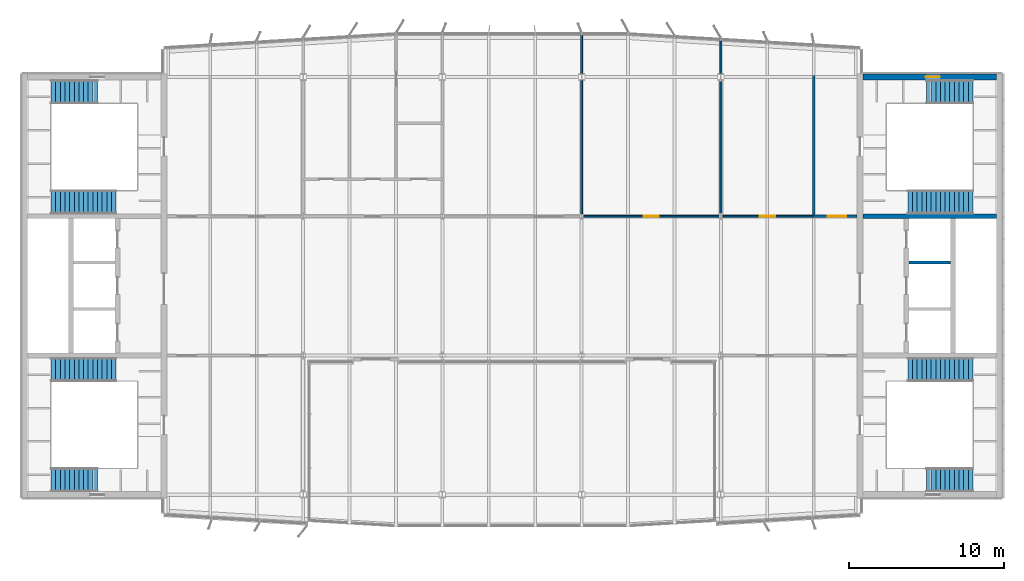
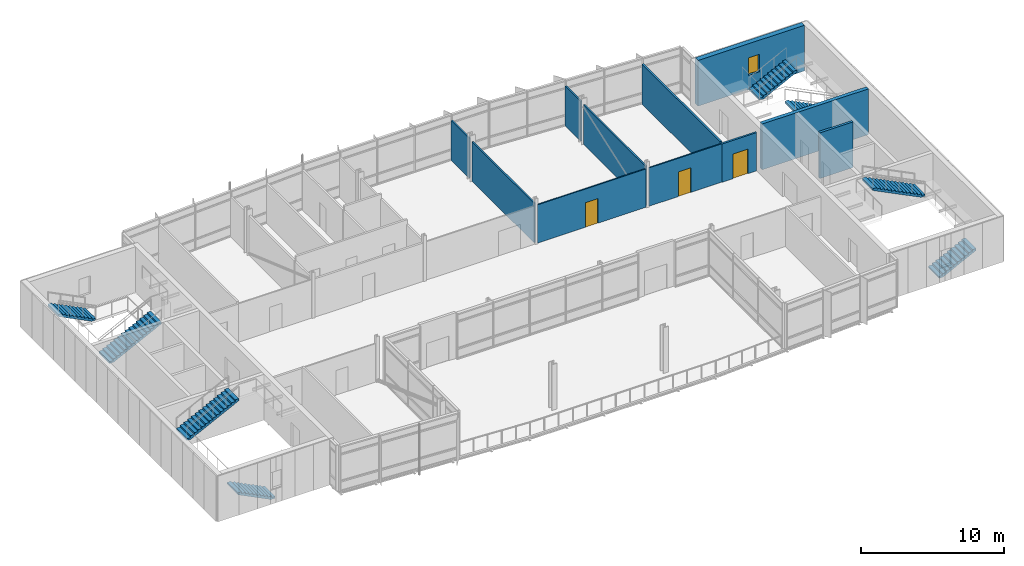
# One storey, part 14 of 19: 11 walls, 8 stair flights, 3 doors, 1 window, 4 openings, 4 elements without a shape of their own.
"""IFC4 building model written with IfcOpenShell, lengths in metres."""

from ifc_helpers import new_model, si_unit, direction, frame, frame_2d, origin, place, context, subcontext, project, spatial, polyline, rectangle, outline, extrude, material, layer, layer_set, type_object, element, fill, aggregate, save


model = new_model("IFC4")

# Units and contexts
model_context = context("Model", 3, precision=1e-05, world=origin(), true_north=direction((0.0, 1.0)))
body_context = subcontext(model_context, "Body", "Model", "MODEL_VIEW")
ifc_project = project(units=[si_unit("LENGTHUNIT", "METRE"), si_unit("AREAUNIT", "SQUARE_METRE"), si_unit("VOLUMEUNIT", "CUBIC_METRE"), si_unit("PLANEANGLEUNIT", "RADIAN"), si_unit("MASSUNIT", "GRAM", prefix="KILO")], contexts=[model_context])

# Site, building, storey
site_placement = place(None, origin())
site = spatial("IfcSite", under=ifc_project, at=site_placement, CompositionType="ELEMENT")
building_placement = place(site_placement, origin())
building = spatial("IfcBuilding", under=site, at=building_placement, Name="Azimuth Sports and Learning Centre", CompositionType="ELEMENT")
storey_placement = place(building_placement, frame((0.0, 0.0, 67.5)))
storey = spatial("IfcBuildingStorey", under=building, at=storey_placement, Name="L15", CompositionType="ELEMENT", Elevation=67.5)

# Wall
ifc_material_1 = material(Name="Dense masonry blockwork", Category="masonry")
ifc_layer_1 = layer(ifc_material_1, 0.199951171875)
ifc_layer_set_1 = layer_set([ifc_layer_1], Name="Dense masonry blockwork")
wall_type_1 = type_object("IfcWallType", Name="Blockwork wall 200 EI 120", PredefinedType="SOLIDWALL", material=ifc_layer_set_1)
wall_1_placement = place(storey_placement, frame((111.14990234375, 105.0, 0.0), z_axis=(0.0, 0.0, 1.0), x_axis=(1.0, 0.0, 0.0)))
element("IfcWall", 1, at=wall_1_placement, inside=storey, type_object=wall_type_1, Name="SD-E-2-L15", PredefinedType="SOLIDWALL", context=body_context, shape_type="SweptSolid", body=[
    extrude(rectangle(XDim=2.7001953125, YDim=0.199951171875, at=frame_2d((1.35009765625, 0.0))), origin(), (0.0, 0.0, 1.0), 3.89990234375),
])

# Wall, opening, door
ifc_material_2 = material(Name="Gypsum board on steel studs", Category="steel")
ifc_layer_2 = layer(ifc_material_2, 0.10009765625)
ifc_layer_set_2 = layer_set([ifc_layer_2], Name="Gypsum board on steel studs")
wall_type_2 = type_object("IfcWallType", Name="Partition 100 EI 30", PredefinedType="PARTITIONING", material=ifc_layer_set_2)
wall_2_placement = place(storey_placement, frame((90.1298828125, 108.0, 0.0), z_axis=(0.0, 0.0, 1.0), x_axis=(1.0, 0.0, 0.0)))
wall_2 = element("IfcWall", 2, at=wall_2_placement, inside=storey, type_object=wall_type_2, Name="Partition Sixth Form Seminar Room 15.15 / Quiet Study Room 15.16", PredefinedType="PARTITIONING", context=body_context, shape_type="SweptSolid", body=[
    extrude(rectangle(XDim=8.740234375, YDim=0.10009765625, at=frame_2d((4.3701171875, 0.0))), origin(), (0.0, 0.0, 1.0), 3.27001953125),
])
opening_1_placement = place(wall_2_placement, frame((3.8701171875, 0.0, 0.0)))
opening_1 = element("IfcOpeningElement", 3, at=opening_1_placement, cuts=wall_2, Name="Opening D15-022", PredefinedType="OPENING", context=body_context, shape_type="SweptSolid", body=[
    extrude(rectangle(XDim=1.0, YDim=2.10009765625, at=frame_2d((0.5, 1.050048828125))), frame((0.0, 0.06103515625, 0.0), z_axis=(0.0, -1.0, 0.0), x_axis=(1.0, 0.0, 0.0)), (0.0, 0.0, 1.0), 0.1220703125),
])
ifc_material_3 = material(Name="Painted steel door set", Category="steel")
door_type_1 = type_object("IfcDoorType", Name="Fire door FD30S 1000 x 2100", OperationType="NOTDEFINED", PredefinedType="DOOR", material=ifc_material_3)
door_1_placement = place(opening_1_placement, origin())
door_1 = element("IfcDoor", 4, at=door_1_placement, inside=storey, type_object=door_type_1, Name="Door Quiet Study Room 15.16 / Learning Street", OperationType="SINGLE_SWING_LEFT", OverallHeight=2.10009765625, OverallWidth=1.0, PredefinedType="DOOR", context=body_context, shape_type="SweptSolid", body=[
    extrude(rectangle(XDim=1.0, YDim=2.10009765625, at=frame_2d((0.5, 1.050048828125))), frame((0.0, 0.02490234375, 0.0), z_axis=(0.0, -1.0, 0.0), x_axis=(1.0, 0.0, 0.0)), (0.0, 0.0, 1.0), 0.050048828125),
])
fill(opening_1, door_1)

wall_3_placement = place(storey_placement, frame((99.1298828125, 108.0, 0.0), z_axis=(0.0, 0.0, 1.0), x_axis=(1.0, 0.0, 0.0)))
wall_3 = element("IfcWall", 5, at=wall_3_placement, inside=storey, type_object=wall_type_2, Name="Partition Sixth Form Seminar Room 15.15 / Quiet Study Room 15.16", PredefinedType="PARTITIONING", context=body_context, shape_type="SweptSolid", body=[
    extrude(rectangle(XDim=5.8701171875, YDim=0.10009765625, at=frame_2d((2.93505859375, 0.0))), origin(), (0.0, 0.0, 1.0), 3.27001953125),
])
opening_2_placement = place(wall_3_placement, frame((2.3701171875, 0.0, 0.0)))
opening_2 = element("IfcOpeningElement", 6, at=opening_2_placement, cuts=wall_3, Name="Opening D15-023", PredefinedType="OPENING", context=body_context, shape_type="SweptSolid", body=[
    extrude(rectangle(XDim=1.0, YDim=2.10009765625, at=frame_2d((0.5, 1.050048828125))), frame((0.0, 0.06103515625, 0.0), z_axis=(0.0, -1.0, 0.0), x_axis=(1.0, 0.0, 0.0)), (0.0, 0.0, 1.0), 0.1220703125),
])
door_2_placement = place(opening_2_placement, origin())
door_2 = element("IfcDoor", 7, at=door_2_placement, inside=storey, type_object=door_type_1, Name="Door Classroom 15.17 / Learning Street", OperationType="SINGLE_SWING_LEFT", OverallHeight=2.10009765625, OverallWidth=1.0, PredefinedType="DOOR", context=body_context, shape_type="SweptSolid", body=[
    extrude(rectangle(XDim=1.0, YDim=2.10009765625, at=frame_2d((0.5, 1.050048828125))), frame((0.0, 0.02490234375, 0.0), z_axis=(0.0, -1.0, 0.0), x_axis=(1.0, 0.0, 0.0)), (0.0, 0.0, 1.0), 0.050048828125),
])
fill(opening_2, door_2)

# Walls
ifc_material_4 = material(Name="Gypsum board on steel studs, acoustic", Category="steel")
ifc_layer_3 = layer(ifc_material_4, 0.125)
ifc_layer_set_3 = layer_set([ifc_layer_3], Name="Gypsum board on steel studs, acoustic")
wall_type_3 = type_object("IfcWallType", Name="Partition 125 EI 60", PredefinedType="PARTITIONING", material=ifc_layer_set_3)
wall_4_placement = place(storey_placement, frame((90.0, 108.1298828125, 0.0), z_axis=(0.0, 0.0, 1.0), x_axis=(0.0, 1.0, 0.0)))
element("IfcWall", 8, at=wall_4_placement, inside=storey, type_object=wall_type_3, Name="Partition Sixth Form Seminar Room 15.15 / Quiet Study Room 15.16", PredefinedType="PARTITIONING", context=body_context, shape_type="SweptSolid", body=[
    extrude(rectangle(XDim=8.652587890625, YDim=0.125, at=frame_2d((4.326171875, 0.0))), origin(), (0.0, 0.0, 1.0), 3.3701171875),
])
wall_5_placement = place(storey_placement, frame((90.0, 117.217529296875, 0.0), z_axis=(0.0, 0.0, 1.0), x_axis=(0.0, 1.0, 0.0)))
element("IfcWall", 9, at=wall_5_placement, inside=storey, type_object=wall_type_3, Name="Partition Sixth Form Seminar Room 15.15 / Quiet Study Room 15.16", PredefinedType="PARTITIONING", context=body_context, shape_type="SweptSolid", body=[
    extrude(rectangle(XDim=2.482421875, YDim=0.125, at=frame_2d((1.2412109375, 0.0))), origin(), (0.0, 0.0, 1.0), 3.409912109375),
])
wall_6_placement = place(storey_placement, frame((99.0, 108.1298828125, 0.0), z_axis=(0.0, 0.0, 1.0), x_axis=(0.0, 1.0, 0.0)))
element("IfcWall", 10, at=wall_6_placement, inside=storey, type_object=wall_type_3, Name="Partition Quiet Study Room 15.16 / Classroom 15.17", PredefinedType="PARTITIONING", context=body_context, shape_type="SweptSolid", body=[
    extrude(rectangle(XDim=8.652587890625, YDim=0.125, at=frame_2d((4.326171875, 0.0))), origin(), (0.0, 0.0, 1.0), 3.3701171875),
])
wall_7_placement = place(storey_placement, frame((99.0, 117.217529296875, 0.0), z_axis=(0.0, 0.0, 1.0), x_axis=(0.0, 1.0, 0.0)))
element("IfcWall", 11, at=wall_7_placement, inside=storey, type_object=wall_type_3, Name="Partition Quiet Study Room 15.16 / Classroom 15.17", PredefinedType="PARTITIONING", context=body_context, shape_type="SweptSolid", body=[
    extrude(rectangle(XDim=2.12255859375, YDim=0.125, at=frame_2d((1.061279296875, 0.0))), origin(), (0.0, 0.0, 1.0), 3.409912109375),
])

# Wall, opening, door
ifc_material_5 = material(Name="Lightweight blockwork, rendered", Category="masonry")
ifc_layer_4 = layer(ifc_material_5, 0.14990234375)
ifc_layer_set_4 = layer_set([ifc_layer_4], Name="Lightweight blockwork, rendered")
wall_type_4 = type_object("IfcWallType", Name="Partition 150 EI 60", PredefinedType="PARTITIONING", material=ifc_layer_set_4)
wall_8_placement = place(storey_placement, frame((105.0, 108.0, 0.0), z_axis=(0.0, 0.0, 1.0), x_axis=(1.0, 0.0, 0.0)))
wall_8 = element("IfcWall", 12, at=wall_8_placement, inside=storey, type_object=wall_type_4, Name="Partition Stair Lobby E2 15.04 / Learning Street", PredefinedType="PARTITIONING", context=body_context, shape_type="SweptSolid", body=[
    extrude(rectangle(XDim=2.800048828125, YDim=0.14990234375, at=frame_2d((1.39990234375, 0.0))), origin(), (0.0, 0.0, 1.0), 3.27001953125),
])
opening_3_placement = place(wall_8_placement, frame((0.89990234375, 0.0, 0.0)))
opening_3 = element("IfcOpeningElement", 13, at=opening_3_placement, cuts=wall_8, Name="Opening D15-016", PredefinedType="OPENING", context=body_context, shape_type="SweptSolid", body=[
    extrude(rectangle(XDim=1.199951171875, YDim=2.10009765625, at=frame_2d((0.60009765625, 1.050048828125))), frame((0.0, 0.0859375, 0.0), z_axis=(0.0, -1.0, 0.0), x_axis=(1.0, 0.0, 0.0)), (0.0, 0.0, 1.0), 0.171875),
])
ifc_material_6 = material(Name="Painted steel door set", Category="steel")
door_type_2 = type_object("IfcDoorType", Name="Fire door FD60 1200 x 2100", OperationType="NOTDEFINED", PredefinedType="DOOR", material=ifc_material_6)
door_3_placement = place(opening_3_placement, origin())
door_3 = element("IfcDoor", 14, at=door_3_placement, inside=storey, type_object=door_type_2, Name="Door Stair Lobby E2 15.04 / Learning Street", OperationType="SINGLE_SWING_RIGHT", OverallHeight=2.10009765625, OverallWidth=1.199951171875, PredefinedType="DOOR", context=body_context, shape_type="SweptSolid", body=[
    extrude(rectangle(XDim=1.199951171875, YDim=2.10009765625, at=frame_2d((0.60009765625, 1.050048828125))), frame((0.0, 0.02490234375, 0.0), z_axis=(0.0, -1.0, 0.0), x_axis=(1.0, 0.0, 0.0)), (0.0, 0.0, 1.0), 0.050048828125),
])
fill(opening_3, door_3)

# Walls
wall_9_placement = place(storey_placement, frame((105.0, 108.074951171875, 0.0), z_axis=(0.0, 0.0, 1.0), x_axis=(0.0, 1.0, 0.0)))
element("IfcWall", 15, at=wall_9_placement, inside=storey, type_object=wall_type_4, Name="Partition Stair Lobby E2 15.04 / Classroom 15.17", PredefinedType="PARTITIONING", context=body_context, shape_type="SweptSolid", body=[
    extrude(rectangle(XDim=10.905029296875, YDim=0.14990234375, at=frame_2d((5.45263671875, 0.0))), origin(), (0.0, 0.0, 1.0), 3.409912109375),
])
ifc_material_7 = material(Name="Concrete C40/50", Category="concrete")
ifc_layer_5 = layer(ifc_material_7, 0.300048828125)
ifc_layer_set_5 = layer_set([ifc_layer_5], Name="Concrete C40/50")
wall_type_5 = type_object("IfcWallType", Name="RC core wall 300", PredefinedType="SHEAR", material=ifc_layer_set_5)
wall_10_placement = place(storey_placement, frame((108.199951171875, 108.0, 0.0), z_axis=(0.0, 0.0, 1.0), x_axis=(1.0, 0.0, 0.0)))
element("IfcWall", 16, at=wall_10_placement, inside=storey, type_object=wall_type_5, Name="Core wall E D2 L15", PredefinedType="SHEAR", context=body_context, shape_type="SweptSolid", body=[
    extrude(rectangle(XDim=8.60009765625, YDim=0.300048828125, at=frame_2d((4.300048828125, 0.0))), origin(), (0.0, 0.0, 1.0), 3.89990234375),
])

# Wall, opening, window
ifc_material_8 = material(Name="Concrete C40/50", Category="concrete")
ifc_layer_6 = layer(ifc_material_8, 0.39990234375)
ifc_layer_set_6 = layer_set([ifc_layer_6], Name="Concrete C40/50")
wall_type_6 = type_object("IfcWallType", Name="RC external core wall 400", PredefinedType="SHEAR", material=ifc_layer_set_6)
wall_11_placement = place(storey_placement, frame((108.199951171875, 117.0, 0.0), z_axis=(0.0, 0.0, 1.0), x_axis=(1.0, 0.0, 0.0)))
wall_11 = element("IfcWall", 17, at=wall_11_placement, inside=storey, type_object=wall_type_6, Name="Core wall E N L15", PredefinedType="SHEAR", context=body_context, shape_type="SweptSolid", body=[
    extrude(rectangle(XDim=8.60009765625, YDim=0.39990234375, at=frame_2d((4.300048828125, 0.0))), origin(), (0.0, 0.0, 1.0), 3.89990234375),
])
opening_4_placement = place(wall_11_placement, frame((4.050048828125, 0.0, 1.199951171875)))
opening_4 = element("IfcOpeningElement", 18, at=opening_4_placement, cuts=wall_11, Name="Opening W15-003", PredefinedType="OPENING", context=body_context, shape_type="SweptSolid", body=[
    extrude(rectangle(XDim=0.89990234375, YDim=1.5, at=frame_2d((0.449951171875, 0.75))), frame((0.0, 0.2109375, 0.0), z_axis=(0.0, -1.0, 0.0), x_axis=(1.0, 0.0, 0.0)), (0.0, 0.0, 1.0), 0.421875),
])
ifc_material_9 = material(Name="Aluminium and glass", Category="aluminium")
window_type = type_object("IfcWindowType", Name="Stair window tower core 900x1500", PartitioningType="SINGLE_PANEL", PredefinedType="WINDOW", material=ifc_material_9)
window_placement = place(opening_4_placement, origin())
window = element("IfcWindow", 19, at=window_placement, inside=storey, type_object=window_type, Name="Window W15-003", OverallHeight=1.5, OverallWidth=0.89990234375, PartitioningType="SINGLE_PANEL", PredefinedType="WINDOW", context=body_context, shape_type="SweptSolid", body=[
    extrude(rectangle(XDim=0.89990234375, YDim=1.5, at=frame_2d((0.449951171875, 0.75))), frame((0.0, 0.030029296875, 0.0), z_axis=(0.0, -1.0, 0.0), x_axis=(1.0, 0.0, 0.0)), (0.0, 0.0, 1.0), 0.06005859375),
])
fill(opening_4, window)

# Stair, stair flight
ifc_material_10 = material(Name="Concrete C32/40", Category="concrete")
stair_type = type_object("IfcStairType", Name="Square-well stair core 3900 storey", PredefinedType="THREE_QUARTER_TURN_STAIR", material=ifc_material_10)
stair_1_placement = place(storey_placement, origin())
stair_1 = element("IfcStair", 20, at=stair_1_placement, inside=storey, type_object=stair_type, Name="Stair W1 L15-L16", PredefinedType="THREE_QUARTER_TURN_STAIR")
ifc_material_11 = material(Name="Concrete C32/40", Category="concrete")
stair_flight_type_1 = type_object("IfcStairFlightType", Name="Stair flight 11 risers", PredefinedType="STRAIGHT", material=ifc_material_11)
stair_flight_1_placement = place(storey_placement, frame((58.7099609375, 90.9599609375, 0.0), z_axis=(0.0, 0.0, 1.0), x_axis=(-1.0, 0.0, 0.0)))
stair_flight_1 = element("IfcStairFlight", 21, at=stair_flight_1_placement, type_object=stair_flight_type_1, Name="Stair W1 L15 flight 1", NumberOfRisers=11, NumberOfTreads=10, PredefinedType="STRAIGHT", RiserHeight=0.15, TreadLength=0.3, context=body_context, shape_type="SweptSolid", body=[
    extrude(outline(polyline([(0.0, 0.0), (0.0, 0.14990234375), (0.300048828125, 0.14990234375), (0.300048828125, 0.300048828125), (0.60009765625, 0.300048828125), (0.60009765625, 0.449951171875), (0.89990234375, 0.449951171875), (0.89990234375, 0.60009765625), (1.199951171875, 0.60009765625), (1.199951171875, 0.75), (1.5, 0.75), (1.5, 0.89990234375), (1.800048828125, 0.89990234375), (1.800048828125, 1.050048828125), (2.10009765625, 1.050048828125), (2.10009765625, 1.199951171875), (2.39990234375, 1.199951171875), (2.39990234375, 1.35009765625), (2.699951171875, 1.35009765625), (2.699951171875, 1.5), (3.0, 1.5), (3.0, 1.64990234375), (3.0, 1.33251953125), (0.335205078125, 0.0), (0.0, 0.0)])), frame((0.0, 0.75, 0.0), z_axis=(0.0, -1.0, 0.0), x_axis=(1.0, 0.0, 0.0)), (0.0, 0.0, 1.0), 1.5),
])

stair_2_placement = place(storey_placement, origin())
stair_2 = element("IfcStair", 22, at=stair_2_placement, inside=storey, type_object=stair_type, Name="Stair W2 L15-L16", PredefinedType="THREE_QUARTER_TURN_STAIR")
stair_flight_2_placement = place(storey_placement, frame((58.7099609375, 116.0400390625, 0.0), z_axis=(0.0, 0.0, 1.0), x_axis=(-1.0, 0.0, 0.0)))
stair_flight_2 = element("IfcStairFlight", 23, at=stair_flight_2_placement, type_object=stair_flight_type_1, Name="Stair W2 L15 flight 1", NumberOfRisers=11, NumberOfTreads=10, PredefinedType="STRAIGHT", RiserHeight=0.15, TreadLength=0.3, context=body_context, shape_type="SweptSolid", body=[
    extrude(outline(polyline([(0.0, 0.0), (0.0, 0.14990234375), (0.300048828125, 0.14990234375), (0.300048828125, 0.300048828125), (0.60009765625, 0.300048828125), (0.60009765625, 0.449951171875), (0.89990234375, 0.449951171875), (0.89990234375, 0.60009765625), (1.199951171875, 0.60009765625), (1.199951171875, 0.75), (1.5, 0.75), (1.5, 0.89990234375), (1.800048828125, 0.89990234375), (1.800048828125, 1.050048828125), (2.10009765625, 1.050048828125), (2.10009765625, 1.199951171875), (2.39990234375, 1.199951171875), (2.39990234375, 1.35009765625), (2.699951171875, 1.35009765625), (2.699951171875, 1.5), (3.0, 1.5), (3.0, 1.64990234375), (3.0, 1.33251953125), (0.335205078125, 0.0), (0.0, 0.0)])), frame((0.0, 0.75, 0.0), z_axis=(0.0, -1.0, 0.0), x_axis=(1.0, 0.0, 0.0)), (0.0, 0.0, 1.0), 1.5),
])

stair_3_placement = place(storey_placement, origin())
stair_3 = element("IfcStair", 24, at=stair_3_placement, inside=storey, type_object=stair_type, Name="Stair E1 L15-L16", PredefinedType="THREE_QUARTER_TURN_STAIR")
stair_flight_3_placement = place(storey_placement, frame((112.2900390625, 90.9599609375, 0.0), z_axis=(0.0, 0.0, 1.0), x_axis=(1.0, 0.0, 0.0)))
stair_flight_3 = element("IfcStairFlight", 25, at=stair_flight_3_placement, type_object=stair_flight_type_1, Name="Stair E1 L15 flight 1", NumberOfRisers=11, NumberOfTreads=10, PredefinedType="STRAIGHT", RiserHeight=0.15, TreadLength=0.3, context=body_context, shape_type="SweptSolid", body=[
    extrude(outline(polyline([(0.0, 0.0), (0.0, 0.14990234375), (0.300048828125, 0.14990234375), (0.300048828125, 0.300048828125), (0.60009765625, 0.300048828125), (0.60009765625, 0.449951171875), (0.89990234375, 0.449951171875), (0.89990234375, 0.60009765625), (1.199951171875, 0.60009765625), (1.199951171875, 0.75), (1.5, 0.75), (1.5, 0.89990234375), (1.800048828125, 0.89990234375), (1.800048828125, 1.050048828125), (2.10009765625, 1.050048828125), (2.10009765625, 1.199951171875), (2.39990234375, 1.199951171875), (2.39990234375, 1.35009765625), (2.699951171875, 1.35009765625), (2.699951171875, 1.5), (3.0, 1.5), (3.0, 1.64990234375), (3.0, 1.33251953125), (0.335205078125, 0.0), (0.0, 0.0)])), frame((0.0, 0.75, 0.0), z_axis=(0.0, -1.0, 0.0), x_axis=(1.0, 0.0, 0.0)), (0.0, 0.0, 1.0), 1.5),
])

stair_4_placement = place(storey_placement, origin())
stair_4 = element("IfcStair", 26, at=stair_4_placement, inside=storey, type_object=stair_type, Name="Stair E2 L15-L16", PredefinedType="THREE_QUARTER_TURN_STAIR")
stair_flight_4_placement = place(storey_placement, frame((112.2900390625, 116.0400390625, 0.0), z_axis=(0.0, 0.0, 1.0), x_axis=(1.0, 0.0, 0.0)))
stair_flight_4 = element("IfcStairFlight", 27, at=stair_flight_4_placement, type_object=stair_flight_type_1, Name="Stair E2 L15 flight 1", NumberOfRisers=11, NumberOfTreads=10, PredefinedType="STRAIGHT", RiserHeight=0.15, TreadLength=0.3, context=body_context, shape_type="SweptSolid", body=[
    extrude(outline(polyline([(0.0, 0.0), (0.0, 0.14990234375), (0.300048828125, 0.14990234375), (0.300048828125, 0.300048828125), (0.60009765625, 0.300048828125), (0.60009765625, 0.449951171875), (0.89990234375, 0.449951171875), (0.89990234375, 0.60009765625), (1.199951171875, 0.60009765625), (1.199951171875, 0.75), (1.5, 0.75), (1.5, 0.89990234375), (1.800048828125, 0.89990234375), (1.800048828125, 1.050048828125), (2.10009765625, 1.050048828125), (2.10009765625, 1.199951171875), (2.39990234375, 1.199951171875), (2.39990234375, 1.35009765625), (2.699951171875, 1.35009765625), (2.699951171875, 1.5), (3.0, 1.5), (3.0, 1.64990234375), (3.0, 1.33251953125), (0.335205078125, 0.0), (0.0, 0.0)])), frame((0.0, 0.75, 0.0), z_axis=(0.0, -1.0, 0.0), x_axis=(1.0, 0.0, 0.0)), (0.0, 0.0, 1.0), 1.5),
])

# Stair flight
ifc_material_12 = material(Name="Concrete C32/40", Category="concrete")
stair_flight_type_2 = type_object("IfcStairFlightType", Name="Stair flight 15 risers", PredefinedType="STRAIGHT", material=ifc_material_12)
stair_flight_5_placement = place(storey_placement, frame((55.7099609375, 98.090087890625, 1.64990234375), z_axis=(0.0, 0.0, 1.0), x_axis=(1.0, 0.0, 0.0)))
stair_flight_5 = element("IfcStairFlight", 28, at=stair_flight_5_placement, type_object=stair_flight_type_2, Name="Stair W1 L15 flight 2", NumberOfRisers=15, NumberOfTreads=14, PredefinedType="STRAIGHT", RiserHeight=0.15, TreadLength=0.3, context=body_context, shape_type="SweptSolid", body=[
    extrude(outline(polyline([(0.0, 0.0), (0.0, 0.14990234375), (0.300048828125, 0.14990234375), (0.300048828125, 0.300048828125), (0.60009765625, 0.300048828125), (0.60009765625, 0.449951171875), (0.89990234375, 0.449951171875), (0.89990234375, 0.60009765625), (1.199951171875, 0.60009765625), (1.199951171875, 0.75), (1.5, 0.75), (1.5, 0.89990234375), (1.800048828125, 0.89990234375), (1.800048828125, 1.050048828125), (2.10009765625, 1.050048828125), (2.10009765625, 1.199951171875), (2.39990234375, 1.199951171875), (2.39990234375, 1.35009765625), (2.699951171875, 1.35009765625), (2.699951171875, 1.5), (3.0, 1.5), (3.0, 1.64990234375), (3.300048828125, 1.64990234375), (3.300048828125, 1.800048828125), (3.60009765625, 1.800048828125), (3.60009765625, 1.949951171875), (3.89990234375, 1.949951171875), (3.89990234375, 2.10009765625), (4.199951171875, 2.10009765625), (4.199951171875, 2.25), (4.199951171875, 1.932373046875), (0.335205078125, 0.0), (0.0, 0.0)])), frame((0.0, 0.75, 0.0), z_axis=(0.0, -1.0, 0.0), x_axis=(1.0, 0.0, 0.0)), (0.0, 0.0, 1.0), 1.5),
])

aggregate(stair_1, [stair_flight_1, stair_flight_5])

stair_flight_6_placement = place(storey_placement, frame((55.7099609375, 108.909912109375, 1.64990234375), z_axis=(0.0, 0.0, 1.0), x_axis=(1.0, 0.0, 0.0)))
stair_flight_6 = element("IfcStairFlight", 29, at=stair_flight_6_placement, type_object=stair_flight_type_2, Name="Stair W2 L15 flight 2", NumberOfRisers=15, NumberOfTreads=14, PredefinedType="STRAIGHT", RiserHeight=0.15, TreadLength=0.3, context=body_context, shape_type="SweptSolid", body=[
    extrude(outline(polyline([(0.0, 0.0), (0.0, 0.14990234375), (0.300048828125, 0.14990234375), (0.300048828125, 0.300048828125), (0.60009765625, 0.300048828125), (0.60009765625, 0.449951171875), (0.89990234375, 0.449951171875), (0.89990234375, 0.60009765625), (1.199951171875, 0.60009765625), (1.199951171875, 0.75), (1.5, 0.75), (1.5, 0.89990234375), (1.800048828125, 0.89990234375), (1.800048828125, 1.050048828125), (2.10009765625, 1.050048828125), (2.10009765625, 1.199951171875), (2.39990234375, 1.199951171875), (2.39990234375, 1.35009765625), (2.699951171875, 1.35009765625), (2.699951171875, 1.5), (3.0, 1.5), (3.0, 1.64990234375), (3.300048828125, 1.64990234375), (3.300048828125, 1.800048828125), (3.60009765625, 1.800048828125), (3.60009765625, 1.949951171875), (3.89990234375, 1.949951171875), (3.89990234375, 2.10009765625), (4.199951171875, 2.10009765625), (4.199951171875, 2.25), (4.199951171875, 1.932373046875), (0.335205078125, 0.0), (0.0, 0.0)])), frame((0.0, 0.75, 0.0), z_axis=(0.0, -1.0, 0.0), x_axis=(1.0, 0.0, 0.0)), (0.0, 0.0, 1.0), 1.5),
])

aggregate(stair_2, [stair_flight_2, stair_flight_6])

stair_flight_7_placement = place(storey_placement, frame((115.2900390625, 98.090087890625, 1.64990234375), z_axis=(0.0, 0.0, 1.0), x_axis=(-1.0, 0.0, 0.0)))
stair_flight_7 = element("IfcStairFlight", 30, at=stair_flight_7_placement, type_object=stair_flight_type_2, Name="Stair E1 L15 flight 2", NumberOfRisers=15, NumberOfTreads=14, PredefinedType="STRAIGHT", RiserHeight=0.15, TreadLength=0.3, context=body_context, shape_type="SweptSolid", body=[
    extrude(outline(polyline([(0.0, 0.0), (0.0, 0.14990234375), (0.300048828125, 0.14990234375), (0.300048828125, 0.300048828125), (0.60009765625, 0.300048828125), (0.60009765625, 0.449951171875), (0.89990234375, 0.449951171875), (0.89990234375, 0.60009765625), (1.199951171875, 0.60009765625), (1.199951171875, 0.75), (1.5, 0.75), (1.5, 0.89990234375), (1.800048828125, 0.89990234375), (1.800048828125, 1.050048828125), (2.10009765625, 1.050048828125), (2.10009765625, 1.199951171875), (2.39990234375, 1.199951171875), (2.39990234375, 1.35009765625), (2.699951171875, 1.35009765625), (2.699951171875, 1.5), (3.0, 1.5), (3.0, 1.64990234375), (3.300048828125, 1.64990234375), (3.300048828125, 1.800048828125), (3.60009765625, 1.800048828125), (3.60009765625, 1.949951171875), (3.89990234375, 1.949951171875), (3.89990234375, 2.10009765625), (4.199951171875, 2.10009765625), (4.199951171875, 2.25), (4.199951171875, 1.932373046875), (0.335205078125, 0.0), (0.0, 0.0)])), frame((0.0, 0.75, 0.0), z_axis=(0.0, -1.0, 0.0), x_axis=(1.0, 0.0, 0.0)), (0.0, 0.0, 1.0), 1.5),
])

aggregate(stair_3, [stair_flight_3, stair_flight_7])

stair_flight_8_placement = place(storey_placement, frame((115.2900390625, 108.909912109375, 1.64990234375), z_axis=(0.0, 0.0, 1.0), x_axis=(-1.0, 0.0, 0.0)))
stair_flight_8 = element("IfcStairFlight", 31, at=stair_flight_8_placement, type_object=stair_flight_type_2, Name="Stair E2 L15 flight 2", NumberOfRisers=15, NumberOfTreads=14, PredefinedType="STRAIGHT", RiserHeight=0.15, TreadLength=0.3, context=body_context, shape_type="SweptSolid", body=[
    extrude(outline(polyline([(0.0, 0.0), (0.0, 0.14990234375), (0.300048828125, 0.14990234375), (0.300048828125, 0.300048828125), (0.60009765625, 0.300048828125), (0.60009765625, 0.449951171875), (0.89990234375, 0.449951171875), (0.89990234375, 0.60009765625), (1.199951171875, 0.60009765625), (1.199951171875, 0.75), (1.5, 0.75), (1.5, 0.89990234375), (1.800048828125, 0.89990234375), (1.800048828125, 1.050048828125), (2.10009765625, 1.050048828125), (2.10009765625, 1.199951171875), (2.39990234375, 1.199951171875), (2.39990234375, 1.35009765625), (2.699951171875, 1.35009765625), (2.699951171875, 1.5), (3.0, 1.5), (3.0, 1.64990234375), (3.300048828125, 1.64990234375), (3.300048828125, 1.800048828125), (3.60009765625, 1.800048828125), (3.60009765625, 1.949951171875), (3.89990234375, 1.949951171875), (3.89990234375, 2.10009765625), (4.199951171875, 2.10009765625), (4.199951171875, 2.25), (4.199951171875, 1.932373046875), (0.335205078125, 0.0), (0.0, 0.0)])), frame((0.0, 0.75, 0.0), z_axis=(0.0, -1.0, 0.0), x_axis=(1.0, 0.0, 0.0)), (0.0, 0.0, 1.0), 1.5),
])

aggregate(stair_4, [stair_flight_4, stair_flight_8])

save(model, "model.ifc")
